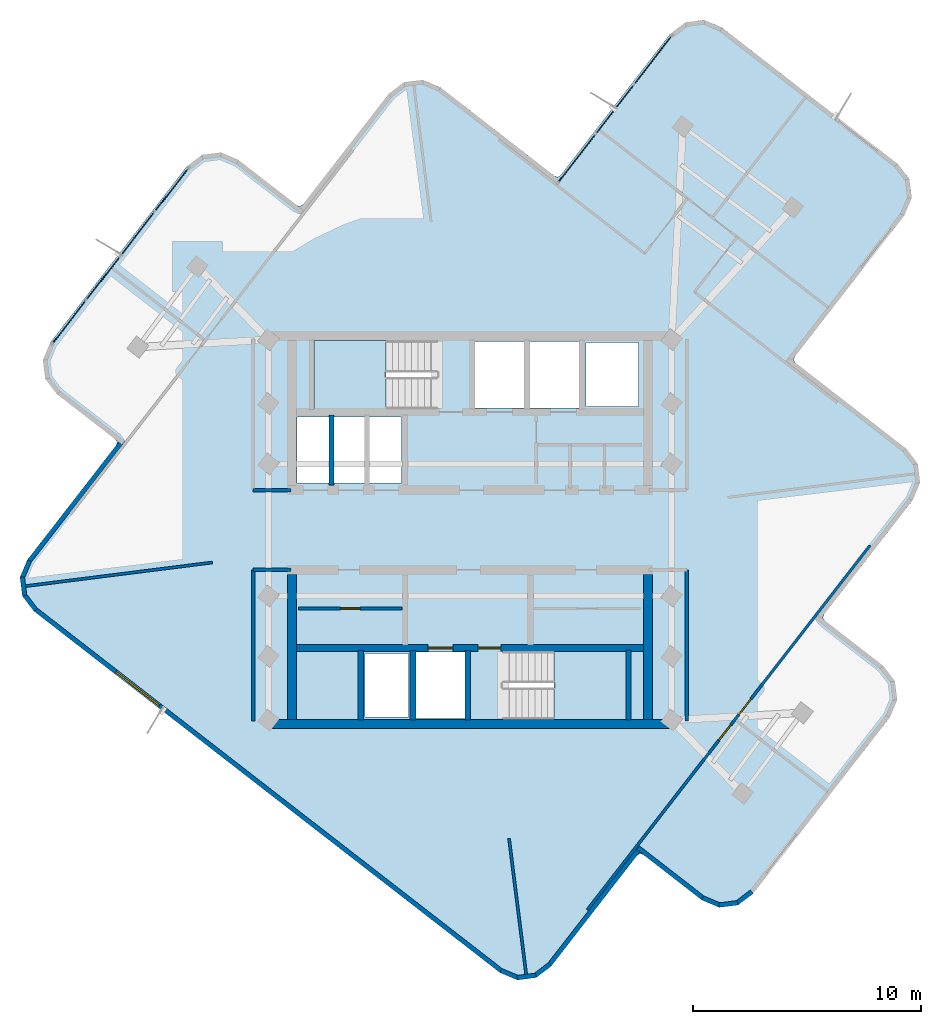
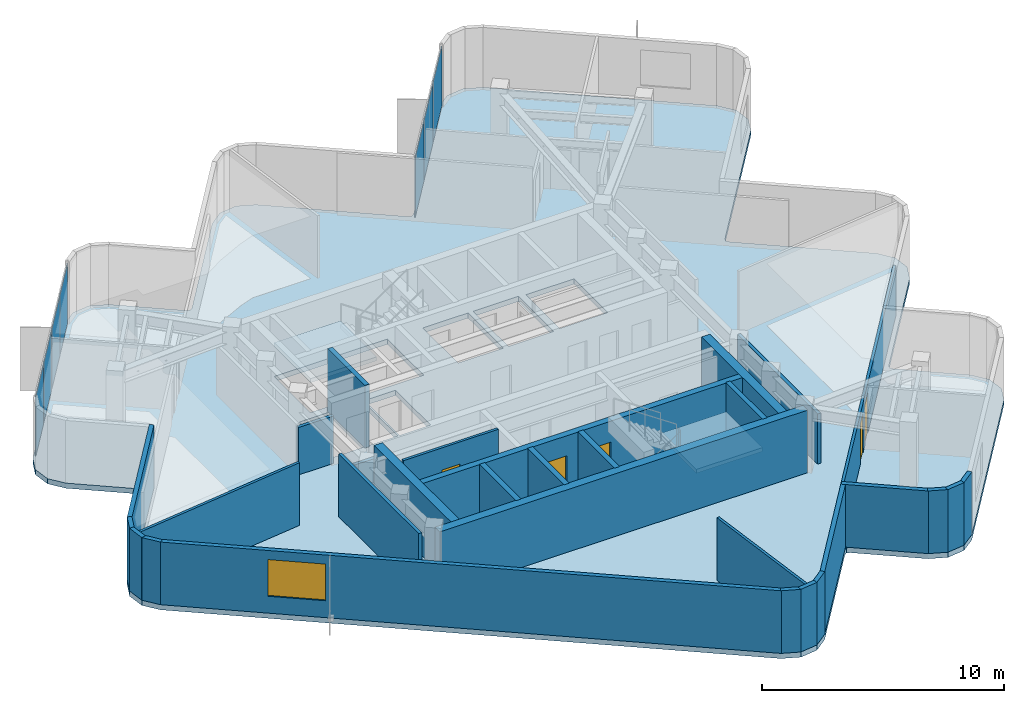
# One storey, part 5 of 10: 30 walls, 7 plates, 5 doors, 3 slabs, 1 window, 6 openings, 4 elements without a shape of their own.
"""IFC4 building model written with IfcOpenShell, lengths in metres."""

from ifc_helpers import new_model, si_unit, direction, frame, frame_2d, origin, origin_2d, place, context, subcontext, project, spatial, polyline, rectangle, outline, extrude, material, layer, layer_set, type_object, element, fill, aggregate, save


model = new_model("IFC4")

# Units and contexts
model_context = context("Model", 3, precision=1e-05, world=origin(), true_north=direction((0.0, 1.0)))
body_context = subcontext(model_context, "Body", "Model", "MODEL_VIEW")
ifc_project = project(units=[si_unit("LENGTHUNIT", "METRE"), si_unit("AREAUNIT", "SQUARE_METRE"), si_unit("VOLUMEUNIT", "CUBIC_METRE"), si_unit("PLANEANGLEUNIT", "RADIAN"), si_unit("MASSUNIT", "GRAM", prefix="KILO")], contexts=[model_context])

# Site, building, storey
site_placement = place(None, origin())
site = spatial("IfcSite", under=ifc_project, at=site_placement, CompositionType="ELEMENT")
building_placement = place(site_placement, origin())
building = spatial("IfcBuilding", under=site, at=building_placement, Name="Solmarez Civic Tower", CompositionType="ELEMENT")
storey_placement = place(building_placement, frame((0.0, 0.0, 261.179931640625)))
storey = spatial("IfcBuildingStorey", under=building, at=storey_placement, Name="L70", CompositionType="ELEMENT", Elevation=261.179931640625)

# Curtain wall, plates
ifc_material_1 = material(Name="Bronze Anodised Aluminium EN AW-6063 T6", Category="aluminium")
ifc_layer_1 = layer(ifc_material_1, 0.1650390625)
ifc_layer_set_1 = layer_set([ifc_layer_1], Name="Bronze Anodised Aluminium EN AW-6063 T6")
curtain_wall_type = type_object("IfcCurtainWallType", Name="CW-SYS-4", PredefinedType="NOTDEFINED", material=ifc_layer_set_1)
curtain_wall_1_placement = place(storey_placement, origin())
curtain_wall_1 = element("IfcCurtainWall", 1, at=curtain_wall_1_placement, inside=storey, type_object=curtain_wall_type, Name="L70 Stick-Built Curtain Wall 1", PredefinedType="NOTDEFINED")
ifc_material_2 = material(Name="Solar Control Low-E Laminated Vision Glass", Category="glass")
ifc_layer_2 = layer(ifc_material_2, 0.0400390625)
ifc_layer_set_2 = layer_set([ifc_layer_2], Name="Solar Control Low-E Laminated Vision Glass")
plate_type = type_object("IfcPlateType", Name="CWP-GLAZ-40", PredefinedType="CURTAIN_PANEL", material=ifc_layer_set_2)
plate_1_placement = place(storey_placement, frame((-17.59521484375, 9.13134765625, 0.070068359375), z_axis=(0.0, 0.0, 1.0), x_axis=(0.612805357542, 0.790233885485, 0.0)))
plate_1 = element("IfcPlate", 2, at=plate_1_placement, type_object=plate_type, Name="CWS4 panel 1.1", PredefinedType="CURTAIN_PANEL", context=body_context, shape_type="SweptSolid", body=[
    extrude(rectangle(XDim=2.365966796875, YDim=0.0400390625, at=origin_2d()), origin(), (0.0, 0.0, 1.0), 3.02001953125),
])
plate_2_placement = place(storey_placement, frame((-16.099609375, 11.06005859375, 0.070068359375), z_axis=(0.0, 0.0, 1.0), x_axis=(0.612805357542, 0.790233885485, 0.0)))
plate_2 = element("IfcPlate", 3, at=plate_2_placement, type_object=plate_type, Name="CWS4 panel 2.1", PredefinedType="CURTAIN_PANEL", context=body_context, shape_type="SweptSolid", body=[
    extrude(rectangle(XDim=2.39599609375, YDim=0.0400390625, at=origin_2d()), origin(), (0.0, 0.0, 1.0), 3.02001953125),
])
plate_3_placement = place(storey_placement, frame((-14.594482421875, 13.0009765625, 0.070068359375), z_axis=(0.0, 0.0, 1.0), x_axis=(0.612805357542, 0.790233885485, 0.0)))
plate_3 = element("IfcPlate", 4, at=plate_3_placement, type_object=plate_type, Name="CWS4 panel 3.1", PredefinedType="CURTAIN_PANEL", context=body_context, shape_type="SweptSolid", body=[
    extrude(rectangle(XDim=2.39599609375, YDim=0.0400390625, at=origin_2d()), origin(), (0.0, 0.0, 1.0), 3.02001953125),
])
plate_4_placement = place(storey_placement, frame((-13.0986328125, 14.9296875, 0.070068359375), z_axis=(0.0, 0.0, 1.0), x_axis=(0.612805357542, 0.790233885485, 0.0)))
plate_4 = element("IfcPlate", 5, at=plate_4_placement, type_object=plate_type, Name="CWS4 panel 4.1", PredefinedType="CURTAIN_PANEL", context=body_context, shape_type="SweptSolid", body=[
    extrude(rectangle(XDim=2.365966796875, YDim=0.0400390625, at=origin_2d()), origin(), (0.0, 0.0, 1.0), 3.02001953125),
])
aggregate(curtain_wall_1, [plate_1, plate_2, plate_3, plate_4])

curtain_wall_2_placement = place(storey_placement, origin())
curtain_wall_2 = element("IfcCurtainWall", 6, at=curtain_wall_2_placement, inside=storey, type_object=curtain_wall_type, Name="L70 Stick-Built Curtain Wall 2", PredefinedType="NOTDEFINED")
plate_5_placement = place(storey_placement, frame((4.68017578125, 16.312255859375, 0.070068359375), z_axis=(0.0, 0.0, 1.0), x_axis=(0.612907004006, 0.790155050886, 0.0)))
plate_5 = element("IfcPlate", 7, at=plate_5_placement, type_object=plate_type, Name="CWS4 panel 1.1", PredefinedType="CURTAIN_PANEL", context=body_context, shape_type="SweptSolid", body=[
    extrude(rectangle(XDim=2.657470703125, YDim=0.0400390625, at=origin_2d()), origin(), (0.0, 0.0, 1.0), 3.02001953125),
])
plate_6_placement = place(storey_placement, frame((6.35498046875, 18.471435546875, 0.070068359375), z_axis=(0.0, 0.0, 1.0), x_axis=(0.612907004006, 0.790155050886, 0.0)))
plate_6 = element("IfcPlate", 8, at=plate_6_placement, type_object=plate_type, Name="CWS4 panel 2.1", PredefinedType="CURTAIN_PANEL", context=body_context, shape_type="SweptSolid", body=[
    extrude(rectangle(XDim=2.6875, YDim=0.0400390625, at=origin_2d()), origin(), (0.0, 0.0, 1.0), 3.02001953125),
])
plate_7_placement = place(storey_placement, frame((8.02978515625, 20.630615234375, 0.070068359375), z_axis=(0.0, 0.0, 1.0), x_axis=(0.612907004006, 0.790155050886, 0.0)))
plate_7 = element("IfcPlate", 9, at=plate_7_placement, type_object=plate_type, Name="CWS4 panel 3.1", PredefinedType="CURTAIN_PANEL", context=body_context, shape_type="SweptSolid", body=[
    extrude(rectangle(XDim=2.657470703125, YDim=0.0400390625, at=origin_2d()), origin(), (0.0, 0.0, 1.0), 3.02001953125),
])
aggregate(curtain_wall_2, [plate_5, plate_6, plate_7])

# Stair, slab
ifc_material_3 = material(Name="Concrete C50/60", Category="concrete")
stair_type = type_object("IfcStairType", Name="STAIR-DOGLEG-140W-18R-1900", PredefinedType="HALF_TURN_STAIR", material=ifc_material_3)
stair_1_placement = place(storey_placement, origin())
stair_1 = element("IfcStair", 10, at=stair_1_placement, inside=storey, type_object=stair_type, Name="L70 North Core Protected Exit Stair ST-1", PredefinedType="HALF_TURN_STAIR")
ifc_layer_3 = layer(ifc_material_3, 0.199951171875)
ifc_layer_set_3 = layer_set([ifc_layer_3], Name="Concrete C50/60")
slab_type_1 = type_object("IfcSlabType", Name="SLAB-LANDING-200", PredefinedType="LANDING", material=ifc_layer_set_3)
slab_1_placement = place(storey_placement, frame((0.0, 0.0, 1.510009765625)))
slab_1 = element("IfcSlab", 11, at=slab_1_placement, type_object=slab_type_1, Name="ST-1 landing 1", PredefinedType="LANDING", context=body_context, shape_type="SweptSolid", body=[
    extrude(outline(polyline([(-3.68994140625, 8.320068359375), (-6.85009765625, 8.320068359375), (-6.85009765625, 5.320068359375), (-3.68994140625, 5.320068359375), (-3.68994140625, 8.320068359375)])), origin(), (0.0, 0.0, 1.0), 0.199951171875),
])
aggregate(stair_1, [slab_1])

stair_2_placement = place(storey_placement, origin())
stair_2 = element("IfcStair", 12, at=stair_2_placement, inside=storey, type_object=stair_type, Name="L70 South Core Protected Exit Stair ST-2", PredefinedType="HALF_TURN_STAIR")
slab_2_placement = place(storey_placement, frame((0.0, 0.0, 1.510009765625)))
slab_2 = element("IfcSlab", 13, at=slab_2_placement, type_object=slab_type_1, Name="ST-2 landing 1", PredefinedType="LANDING", context=body_context, shape_type="SweptSolid", body=[
    extrude(outline(polyline([(3.68994140625, -8.320068359375), (6.85009765625, -8.320068359375), (6.85009765625, -5.320068359375), (3.68994140625, -5.320068359375), (3.68994140625, -8.320068359375)])), origin(), (0.0, 0.0, 1.0), 0.199951171875),
])
aggregate(stair_2, [slab_2])

# Slab
ifc_layer_4 = layer(ifc_material_3, 0.260009765625)
ifc_layer_set_4 = layer_set([ifc_layer_4], Name="Concrete C50/60")
slab_type_2 = type_object("IfcSlabType", Name="SLAB-TOWER-260", PredefinedType="FLOOR", material=ifc_layer_set_4)
slab_3_placement = place(storey_placement, frame((0.0, 0.0, -0.260009765625)))
element("IfcSlab", 14, at=slab_3_placement, inside=storey, type_object=slab_type_2, Name="L70 Structural Slab", PredefinedType="FLOOR", context=body_context, shape_type="SweptSolid", body=[
    extrude(outline(polyline([(7.617919921875, -14.261962890625), (10.177978515625, -16.2470703125), (10.94091796875, -16.568115234375), (11.762939453125, -16.464111328125), (12.423095703125, -15.964111328125), (18.428955078125, -8.219970703125), (18.75, -7.45703125), (18.64599609375, -6.635009765625), (18.14501953125, -5.97509765625), (15.5859375, -3.989990234375), (15.48193359375, -3.85302734375), (15.548095703125, -3.694091796875), (19.43408203125, 1.31494140625), (19.7548828125, 2.077880859375), (19.65087890625, 2.89990234375), (19.14990234375, 3.56005859375), (14.299072265625, 7.322021484375), (14.195068359375, 7.458984375), (14.261962890625, 7.617919921875), (19.06689453125, 13.81201171875), (19.387939453125, 14.575927734375), (19.283935546875, 15.39794921875), (18.782958984375, 16.056884765625), (11.0400390625, 22.06396484375), (10.27587890625, 22.385009765625), (9.4541015625, 22.281005859375), (8.794921875, 21.780029296875), (3.989990234375, 15.5859375), (3.85302734375, 15.48193359375), (3.694091796875, 15.548095703125), (-1.31494140625, 19.43408203125), (-2.077880859375, 19.7548828125), (-2.89990234375, 19.65087890625), (-3.56005859375, 19.14990234375), (-7.322021484375, 14.299072265625), (-7.458984375, 14.195068359375), (-7.617919921875, 14.261962890625), (-10.177978515625, 16.2470703125), (-10.94091796875, 16.568115234375), (-11.762939453125, 16.464111328125), (-12.423095703125, 15.964111328125), (-18.428955078125, 8.219970703125), (-18.75, 7.45703125), (-18.64599609375, 6.635009765625), (-18.14501953125, 5.97509765625), (-15.5859375, 3.989990234375), (-15.48193359375, 3.85302734375), (-15.548095703125, 3.694091796875), (-19.43408203125, -1.31494140625), (-19.7548828125, -2.077880859375), (-19.65087890625, -2.89990234375), (-19.14990234375, -3.56005859375), (1.31494140625, -19.43408203125), (2.077880859375, -19.7548828125), (2.89990234375, -19.65087890625), (3.56005859375, -19.14990234375), (7.322021484375, -14.299072265625), (7.458984375, -14.195068359375), (7.617919921875, -14.261962890625)]), holes=[polyline([(-1.449951171875, 8.320068359375), (-6.85009765625, 8.320068359375), (-6.85009765625, 5.320068359375), (-1.449951171875, 5.320068359375), (-1.449951171875, 8.320068359375)]), polyline([(1.449951171875, -8.320068359375), (6.85009765625, -8.320068359375), (6.85009765625, -5.320068359375), (1.449951171875, -5.320068359375), (1.449951171875, -8.320068359375)]), polyline([(0.219970703125, 5.360107421875), (2.3798828125, 5.360107421875), (2.3798828125, 8.280029296875), (0.219970703125, 8.280029296875), (0.219970703125, 5.360107421875)]), polyline([(2.6201171875, 5.360107421875), (4.780029296875, 5.360107421875), (4.780029296875, 8.280029296875), (2.6201171875, 8.280029296875), (2.6201171875, 5.360107421875)]), polyline([(-2.3798828125, -8.280029296875), (-0.219970703125, -8.280029296875), (-0.219970703125, -5.360107421875), (-2.3798828125, -5.360107421875), (-2.3798828125, -8.280029296875)]), polyline([(-7.60009765625, 2.06005859375), (-6.1201171875, 2.06005859375), (-6.1201171875, 4.9599609375), (-7.60009765625, 4.9599609375), (-7.60009765625, 2.06005859375)]), polyline([(-6.0400390625, 2.06005859375), (-4.56005859375, 2.06005859375), (-4.56005859375, 4.9599609375), (-6.0400390625, 4.9599609375), (-6.0400390625, 2.06005859375)]), polyline([(-4.47998046875, 2.06005859375), (-3.0, 2.06005859375), (-3.0, 4.9599609375), (-4.47998046875, 4.9599609375), (-4.47998046875, 2.06005859375)]), polyline([(5.10009765625, 5.419921875), (7.39990234375, 5.419921875), (7.39990234375, 8.219970703125), (5.10009765625, 8.219970703125), (5.10009765625, 5.419921875)]), polyline([(-4.60009765625, -8.219970703125), (-2.699951171875, -8.219970703125), (-2.699951171875, -5.419921875), (-4.60009765625, -5.419921875), (-4.60009765625, -8.219970703125)])]), origin(), (0.0, 0.0, 1.0), 0.260009765625),
])

# Walls
ifc_layer_5 = layer(ifc_material_3, 0.39990234375)
ifc_layer_set_5 = layer_set([ifc_layer_5], Name="Concrete C50/60")
wall_type_1 = type_object("IfcWallType", Name="WALL-CORE-400", PredefinedType="SHEAR", material=ifc_layer_set_5)
wall_1_placement = place(storey_placement, frame((8.780029296875, -8.510009765625, 0.0), z_axis=(0.0, 0.0, 1.0), x_axis=(-1.0, 0.0, 0.0)))
element("IfcWall", 15, at=wall_1_placement, inside=storey, type_object=wall_type_1, Name="L70 Split-Core Structural Wall SCW-S-L70", PredefinedType="SHEAR", context=body_context, shape_type="SweptSolid", body=[
    extrude(rectangle(XDim=17.56005859375, YDim=0.39990234375, at=frame_2d((8.780029296875, 0.0))), origin(), (0.0, 0.0, 1.0), 3.16015625),
])
for number, where, z_axis, x_axis, name in (
    (16, (-7.820068359375, -8.31005859375, 0.0), (0.0, 0.0, 1.0), (0.0, 1.0, 0.0), "L70 Split-Core Structural Wall SCW-W-L70"),
    (17, (7.820068359375, -1.949951171875, 0.0), (0.0, 0.0, 1.0), (0.0, -1.0, 0.0), "L70 Split-Core Structural Wall SCW-E-L70"),
):
    element("IfcWall", number, at=place(storey_placement, frame(where, z_axis=z_axis, x_axis=x_axis)), inside=storey, type_object=wall_type_1, Name=name, PredefinedType="SHEAR", context=body_context, shape_type="SweptSolid", body=[
        extrude(rectangle(XDim=6.360107421875, YDim=0.39990234375, at=frame_2d((3.18017578125, 0.0))), origin(), (0.0, 0.0, 1.0), 3.16015625),
    ])
ifc_material_4 = material(Name="Precast concrete C40/50", Category="concrete")
ifc_layer_6 = layer(ifc_material_4, 0.199951171875)
ifc_layer_set_6 = layer_set([ifc_layer_6], Name="Precast concrete C40/50")
wall_type_2 = type_object("IfcWallType", Name="WALL-EXT-200", PredefinedType="SOLIDWALL", material=ifc_layer_set_6)
wall_2_placement = place(storey_placement, frame((7.48291015625, -13.929931640625, 0.0), z_axis=(0.0, 0.0, 1.0), x_axis=(-0.612826373036, -0.790217588081, 0.0)))
element("IfcWall", 18, at=wall_2_placement, inside=storey, type_object=wall_type_2, Name="L70 Exterior Precast Wall 2", PredefinedType="SOLIDWALL", context=body_context, shape_type="SweptSolid", body=[
    extrude(rectangle(XDim=6.54150390625, YDim=0.199951171875, at=frame_2d((3.270751953125, 0.0))), origin(), (0.0, 0.0, 1.0), 3.16015625),
])
wall_3_placement = place(storey_placement, frame((3.509033203125, -19.06396484375, 0.0), z_axis=(0.0, 0.0, 1.0), x_axis=(-0.797053904317, -0.603908166539, 0.0)))
element("IfcWall", 19, at=wall_3_placement, inside=storey, type_object=wall_type_2, Name="L70 Exterior Precast Wall 3", PredefinedType="SOLIDWALL", context=body_context, shape_type="SweptSolid", body=[
    extrude(rectangle(XDim=0.838134765625, YDim=0.199951171875, at=frame_2d((0.4189453125, 0.0))), origin(), (0.0, 0.0, 1.0), 3.16015625),
])
wall_4_placement = place(storey_placement, frame((2.885986328125, -19.552001953125, 0.0), z_axis=(0.0, 0.0, 1.0), x_axis=(-0.992182038023, -0.124799052175, 0.0)))
element("IfcWall", 20, at=wall_4_placement, inside=storey, type_object=wall_type_2, Name="L70 Exterior Precast Wall 4", PredefinedType="SOLIDWALL", context=body_context, shape_type="SweptSolid", body=[
    extrude(rectangle(XDim=0.825439453125, YDim=0.199951171875, at=frame_2d((0.41259765625, 0.0))), origin(), (0.0, 0.0, 1.0), 3.16015625),
])
wall_5_placement = place(storey_placement, frame((2.114990234375, -19.662109375, 0.0), z_axis=(0.0, 0.0, 1.0), x_axis=(-0.921569528133, 0.388213349612, 0.0)))
element("IfcWall", 21, at=wall_5_placement, inside=storey, type_object=wall_type_2, Name="L70 Exterior Precast Wall 5", PredefinedType="SOLIDWALL", context=body_context, shape_type="SweptSolid", body=[
    extrude(rectangle(XDim=0.837646484375, YDim=0.199951171875, at=frame_2d((0.4189453125, 0.0))), origin(), (0.0, 0.0, 1.0), 3.16015625),
])

# Wall, opening, window
wall_6_placement = place(storey_placement, frame((1.385986328125, -19.362060546875, 0.0), z_axis=(0.0, 0.0, 1.0), x_axis=(-0.790191227086, 0.612860363081, 0.0)))
wall_6 = element("IfcWall", 22, at=wall_6_placement, inside=storey, type_object=wall_type_2, Name="L70 Exterior Precast Wall 6", PredefinedType="SOLIDWALL", context=body_context, shape_type="SweptSolid", body=[
    extrude(rectangle(XDim=25.92431640625, YDim=0.199951171875, at=frame_2d((12.962158203125, 0.0))), origin(), (0.0, 0.0, 1.0), 3.16015625),
])
opening_1_placement = place(wall_6_placement, frame((19.02099609375, 0.0, 0.85009765625)))
opening_1 = element("IfcOpeningElement", 23, at=opening_1_placement, cuts=wall_6, Name="Opening W-06", PredefinedType="OPENING", context=body_context, shape_type="SweptSolid", body=[
    extrude(rectangle(XDim=2.39990234375, YDim=1.85009765625, at=frame_2d((1.199951171875, 0.925048828125))), frame((0.0, 0.10986328125, 0.0), z_axis=(0.0, -1.0, 0.0), x_axis=(1.0, 0.0, 0.0)), (0.0, 0.0, 1.0), 0.219970703125),
])
ifc_material_5 = material(Name="Solar Control Bronze-Tinted Insulating Glass", Category="glass")
window_type = type_object("IfcWindowType", Name="WIN-2400X1850", PartitioningType="SINGLE_PANEL", PredefinedType="WINDOW", material=ifc_material_5)
window_placement = place(opening_1_placement, origin())
window = element("IfcWindow", 24, at=window_placement, inside=storey, type_object=window_type, Name="L70 Exterior Facade Window 6", OverallHeight=1.85009765625, OverallWidth=2.39990234375, PartitioningType="SINGLE_PANEL", PredefinedType="WINDOW", context=body_context, shape_type="SweptSolid", body=[
    extrude(rectangle(XDim=2.39990234375, YDim=1.85009765625, at=frame_2d((1.199951171875, 0.925048828125))), frame((0.0, 0.030029296875, 0.0), z_axis=(0.0, -1.0, 0.0), x_axis=(1.0, 0.0, 0.0)), (0.0, 0.0, 1.0), 0.06005859375),
])
fill(opening_1, window)

# Walls
wall_7_placement = place(storey_placement, frame((-19.06396484375, -3.509033203125, 0.0), z_axis=(0.0, 0.0, 1.0), x_axis=(-0.603908166539, 0.797053904317, 0.0)))
element("IfcWall", 25, at=wall_7_placement, inside=storey, type_object=wall_type_2, Name="L70 Exterior Precast Wall 7", PredefinedType="SOLIDWALL", context=body_context, shape_type="SweptSolid", body=[
    extrude(rectangle(XDim=0.838134765625, YDim=0.199951171875, at=frame_2d((0.4189453125, 0.0))), origin(), (0.0, 0.0, 1.0), 3.16015625),
])
wall_8_placement = place(storey_placement, frame((-19.552001953125, -2.885986328125, 0.0), z_axis=(0.0, 0.0, 1.0), x_axis=(-0.124799052175, 0.992182038023, 0.0)))
element("IfcWall", 26, at=wall_8_placement, inside=storey, type_object=wall_type_2, Name="L70 Exterior Precast Wall 8", PredefinedType="SOLIDWALL", context=body_context, shape_type="SweptSolid", body=[
    extrude(rectangle(XDim=0.825439453125, YDim=0.199951171875, at=frame_2d((0.41259765625, 0.0))), origin(), (0.0, 0.0, 1.0), 3.16015625),
])
wall_9_placement = place(storey_placement, frame((-19.662109375, -2.114990234375, 0.0), z_axis=(0.0, 0.0, 1.0), x_axis=(0.388213349612, 0.921569528133, 0.0)))
element("IfcWall", 27, at=wall_9_placement, inside=storey, type_object=wall_type_2, Name="L70 Exterior Precast Wall 9", PredefinedType="SOLIDWALL", context=body_context, shape_type="SweptSolid", body=[
    extrude(rectangle(XDim=0.837646484375, YDim=0.199951171875, at=frame_2d((0.4189453125, 0.0))), origin(), (0.0, 0.0, 1.0), 3.16015625),
])
wall_10_placement = place(storey_placement, frame((-19.362060546875, -1.385986328125, 0.0), z_axis=(0.0, 0.0, 1.0), x_axis=(0.613007625303, 0.790076990755, 0.0)))
element("IfcWall", 28, at=wall_10_placement, inside=storey, type_object=wall_type_2, Name="L70 Exterior Precast Wall 10", PredefinedType="SOLIDWALL", context=body_context, shape_type="SweptSolid", body=[
    extrude(rectangle(XDim=6.7421875, YDim=0.199951171875, at=frame_2d((3.37109375, 0.0))), origin(), (0.0, 0.0, 1.0), 3.16015625),
])
wall_11_placement = place(storey_placement, frame((12.3720703125, -15.876953125, 0.0), z_axis=(0.0, 0.0, 1.0), x_axis=(-0.796493049564, -0.60464768419, 0.0)))
element("IfcWall", 29, at=wall_11_placement, inside=storey, type_object=wall_type_2, Name="L70 Exterior Precast Wall 54", PredefinedType="SOLIDWALL", context=body_context, shape_type="SweptSolid", body=[
    extrude(rectangle(XDim=0.838623046875, YDim=0.199951171875, at=frame_2d((0.41943359375, 0.0))), origin(), (0.0, 0.0, 1.0), 3.16015625),
])
wall_12_placement = place(storey_placement, frame((11.7490234375, -16.365966796875, 0.0), z_axis=(0.0, 0.0, 1.0), x_axis=(-0.992182038023, -0.124799052175, 0.0)))
element("IfcWall", 30, at=wall_12_placement, inside=storey, type_object=wall_type_2, Name="L70 Exterior Precast Wall 55", PredefinedType="SOLIDWALL", context=body_context, shape_type="SweptSolid", body=[
    extrude(rectangle(XDim=0.825439453125, YDim=0.199951171875, at=frame_2d((0.41259765625, 0.0))), origin(), (0.0, 0.0, 1.0), 3.16015625),
])
wall_13_placement = place(storey_placement, frame((10.97802734375, -16.47607421875, 0.0), z_axis=(0.0, 0.0, 1.0), x_axis=(-0.921328331513, 0.388785423532, 0.0)))
element("IfcWall", 31, at=wall_13_placement, inside=storey, type_object=wall_type_2, Name="L70 Exterior Precast Wall 56", PredefinedType="SOLIDWALL", context=body_context, shape_type="SweptSolid", body=[
    extrude(rectangle(XDim=0.8388671875, YDim=0.199951171875, at=frame_2d((0.41943359375, 0.0))), origin(), (0.0, 0.0, 1.0), 3.16015625),
])
wall_14_placement = place(storey_placement, frame((10.248046875, -16.175048828125, 0.0), z_axis=(0.0, 0.0, 1.0), x_axis=(-0.790239683444, 0.612797880797, 0.0)))
element("IfcWall", 32, at=wall_14_placement, inside=storey, type_object=wall_type_2, Name="L70 Exterior Precast Wall 57", PredefinedType="SOLIDWALL", context=body_context, shape_type="SweptSolid", body=[
    extrude(rectangle(XDim=3.640625, YDim=0.199951171875, at=frame_2d((1.8203125, 0.0))), origin(), (0.0, 0.0, 1.0), 3.16015625),
])
ifc_material_6 = material(Name="Gypsum Board Acoustic Steel-Stud Partition", Category="steel")
ifc_layer_7 = layer(ifc_material_6, 0.14990234375)
ifc_layer_set_7 = layer_set([ifc_layer_7], Name="Gypsum Board Acoustic Steel-Stud Partition")
wall_type_3 = type_object("IfcWallType", Name="WALL-INT-FIRE-150", PredefinedType="PARTITIONING", material=ifc_layer_set_7)
wall_15_placement = place(storey_placement, frame((-7.85009765625, 1.75, 0.0), z_axis=(0.0, 0.0, 1.0), x_axis=(-1.0, 0.0, 0.0)))
element("IfcWall", 33, at=wall_15_placement, inside=storey, type_object=wall_type_3, Name="L70 Interior Partition CHW-L70-WN3", PredefinedType="PARTITIONING", context=body_context, shape_type="SweptSolid", body=[
    extrude(rectangle(XDim=1.669921875, YDim=0.14990234375, at=frame_2d((0.8349609375, 0.0))), origin(), (0.0, 0.0, 1.0), 2.39013671875),
])
wall_16_placement = place(storey_placement, frame((-9.52001953125, -8.3798828125, 0.0), z_axis=(0.0, 0.0, 1.0), x_axis=(0.0, 1.0, 0.0)))
element("IfcWall", 34, at=wall_16_placement, inside=storey, type_object=wall_type_3, Name="L70 Interior Partition CHW-L70-WS1", PredefinedType="PARTITIONING", context=body_context, shape_type="SweptSolid", body=[
    extrude(rectangle(XDim=6.6298828125, YDim=0.14990234375, at=frame_2d((3.31494140625, 0.0))), origin(), (0.0, 0.0, 1.0), 3.16015625),
])
wall_17_placement = place(storey_placement, frame((-7.85009765625, -1.75, 0.0), z_axis=(0.0, 0.0, 1.0), x_axis=(-1.0, 0.0, 0.0)))
element("IfcWall", 35, at=wall_17_placement, inside=storey, type_object=wall_type_3, Name="L70 Interior Partition CHW-L70-WS3", PredefinedType="PARTITIONING", context=body_context, shape_type="SweptSolid", body=[
    extrude(rectangle(XDim=1.669921875, YDim=0.14990234375, at=frame_2d((0.8349609375, 0.0))), origin(), (0.0, 0.0, 1.0), 2.39013671875),
])
wall_18_placement = place(storey_placement, frame((9.52001953125, -8.3798828125, 0.0), z_axis=(0.0, 0.0, 1.0), x_axis=(0.0, 1.0, 0.0)))
element("IfcWall", 36, at=wall_18_placement, inside=storey, type_object=wall_type_3, Name="L70 Interior Partition CHW-L70-ES1", PredefinedType="PARTITIONING", context=body_context, shape_type="SweptSolid", body=[
    extrude(rectangle(XDim=6.6298828125, YDim=0.14990234375, at=frame_2d((3.31494140625, 0.0))), origin(), (0.0, 0.0, 1.0), 2.530029296875),
])

# Wall, opening, door
ifc_layer_8 = layer(ifc_material_6, 0.1201171875)
ifc_layer_set_8 = layer_set([ifc_layer_8], Name="Gypsum Board Acoustic Steel-Stud Partition")
wall_type_4 = type_object("IfcWallType", Name="WALL-INT-PART-120", PredefinedType="PARTITIONING", material=ifc_layer_set_8)
wall_19_placement = place(storey_placement, frame((-7.52001953125, -3.449951171875, 0.0), z_axis=(0.0, 0.0, 1.0), x_axis=(1.0, 0.0, 0.0)))
wall_19 = element("IfcWall", 37, at=wall_19_placement, inside=storey, type_object=wall_type_4, Name="L70 Interior Partition PT-FPLM-L70", PredefinedType="PARTITIONING", context=body_context, shape_type="SweptSolid", body=[
    extrude(rectangle(XDim=4.5400390625, YDim=0.1201171875, at=frame_2d((2.27001953125, 0.0))), origin(), (0.0, 0.0, 1.0), 3.16015625),
])
opening_2_placement = place(wall_19_placement, frame((1.840087890625, 0.0, 0.0)))
opening_2 = element("IfcOpeningElement", 38, at=opening_2_placement, cuts=wall_19, Name="Opening D-14", PredefinedType="OPENING", context=body_context, shape_type="SweptSolid", body=[
    extrude(rectangle(XDim=0.860107421875, YDim=2.0400390625, at=frame_2d((0.43017578125, 1.02001953125))), frame((0.0, 0.070068359375, 0.0), z_axis=(0.0, -1.0, 0.0), x_axis=(1.0, 0.0, 0.0)), (0.0, 0.0, 1.0), 0.14013671875),
])
ifc_material_7 = material(Name="Timber Storage and Pantry Door", Category="wood")
door_type_1 = type_object("IfcDoorType", Name="DOOR-INT-850", OperationType="NOTDEFINED", PredefinedType="DOOR", material=ifc_material_7)
door_1_placement = place(opening_2_placement, origin())
door_1 = element("IfcDoor", 39, at=door_1_placement, inside=storey, type_object=door_type_1, Name="L70 Directorate Copy Office Door", OperationType="SINGLE_SWING_RIGHT", OverallHeight=2.0400390625, OverallWidth=0.860107421875, PredefinedType="DOOR", context=body_context, shape_type="SweptSolid", body=[
    extrude(rectangle(XDim=0.860107421875, YDim=2.0400390625, at=frame_2d((0.43017578125, 1.02001953125))), frame((0.0, 0.02490234375, 0.0), z_axis=(0.0, -1.0, 0.0), x_axis=(1.0, 0.0, 0.0)), (0.0, 0.0, 1.0), 0.050048828125),
])
fill(opening_2, door_1)

# Walls
wall_20_placement = place(storey_placement, frame((-11.31005859375, -1.428955078125, 0.0), z_axis=(0.0, 0.0, 1.0), x_axis=(-0.992107592132, -0.125389495712, 0.0)))
element("IfcWall", 40, at=wall_20_placement, inside=storey, type_object=wall_type_4, Name="L70 Interior Partition PT-L70-QDIV-2", PredefinedType="PARTITIONING", context=body_context, shape_type="SweptSolid", body=[
    extrude(rectangle(XDim=8.29443359375, YDim=0.1201171875, at=frame_2d((4.147216796875, 0.0))), origin(), (0.0, 0.0, 1.0), 3.16015625),
])
wall_21_placement = place(storey_placement, frame((1.7109375, -13.5400390625, 0.0), z_axis=(0.0, 0.0, 1.0), x_axis=(0.125366398214, -0.992110511082, 0.0)))
element("IfcWall", 41, at=wall_21_placement, inside=storey, type_object=wall_type_4, Name="L70 Interior Partition PT-L70-QDIV-3", PredefinedType="PARTITIONING", context=body_context, shape_type="SweptSolid", body=[
    extrude(rectangle(XDim=6.046630859375, YDim=0.1201171875, at=frame_2d((3.0234375, 0.0))), origin(), (0.0, 0.0, 1.0), 3.16015625),
])

# Wall, openings, doors
wall_22_placement = place(storey_placement, frame((17.554931640625, -0.68310546875, 0.0), z_axis=(0.0, 0.0, 1.0), x_axis=(-0.61291959311, -0.790145285617, 0.0)))
wall_22 = element("IfcWall", 42, at=wall_22_placement, inside=storey, type_object=wall_type_4, Name="L70 Interior Partition PT-L70-S-ENT", PredefinedType="PARTITIONING", context=body_context, shape_type="SweptSolid", body=[
    extrude(rectangle(XDim=20.2392578125, YDim=0.1201171875, at=frame_2d((10.11962890625, 0.0))), origin(), (0.0, 0.0, 1.0), 2.530029296875),
])
opening_3_placement = place(wall_22_placement, frame((9.9599609375, 0.0, 0.0)))
opening_3 = element("IfcOpeningElement", 43, at=opening_3_placement, cuts=wall_22, Name="Opening D-14", PredefinedType="OPENING", context=body_context, shape_type="SweptSolid", body=[
    extrude(rectangle(XDim=0.860107421875, YDim=2.0400390625, at=frame_2d((0.43017578125, 1.02001953125))), frame((0.0, 0.070068359375, 0.0), z_axis=(0.0, -1.0, 0.0), x_axis=(1.0, 0.0, 0.0)), (0.0, 0.0, 1.0), 0.14013671875),
])
opening_4_placement = place(wall_22_placement, frame((8.52001953125, 0.0, 0.0)))
opening_4 = element("IfcOpeningElement", 44, at=opening_4_placement, cuts=wall_22, Name="Opening D-14", PredefinedType="OPENING", context=body_context, shape_type="SweptSolid", body=[
    extrude(rectangle(XDim=0.860107421875, YDim=2.0400390625, at=frame_2d((0.43017578125, 1.02001953125))), frame((0.0, 0.070068359375, 0.0), z_axis=(0.0, -1.0, 0.0), x_axis=(1.0, 0.0, 0.0)), (0.0, 0.0, 1.0), 0.14013671875),
])
door_2_placement = place(opening_3_placement, origin())
door_2 = element("IfcDoor", 45, at=door_2_placement, inside=storey, type_object=door_type_1, Name="L70 Wellness Fitness Room Second South Door", OperationType="SINGLE_SWING_RIGHT", OverallHeight=2.0400390625, OverallWidth=0.860107421875, PredefinedType="DOOR", context=body_context, shape_type="SweptSolid", body=[
    extrude(rectangle(XDim=0.860107421875, YDim=2.0400390625, at=frame_2d((0.43017578125, 1.02001953125))), frame((0.0, 0.02490234375, 0.0), z_axis=(0.0, -1.0, 0.0), x_axis=(1.0, 0.0, 0.0)), (0.0, 0.0, 1.0), 0.050048828125),
])
fill(opening_3, door_2)
door_3_placement = place(opening_4_placement, origin())
door_3 = element("IfcDoor", 46, at=door_3_placement, inside=storey, type_object=door_type_1, Name="L70 Delegates Study Lounge First South Door", OperationType="SINGLE_SWING_LEFT", OverallHeight=2.0400390625, OverallWidth=0.860107421875, PredefinedType="DOOR", context=body_context, shape_type="SweptSolid", body=[
    extrude(rectangle(XDim=0.860107421875, YDim=2.0400390625, at=frame_2d((0.43017578125, 1.02001953125))), frame((0.0, 0.02490234375, 0.0), z_axis=(0.0, -1.0, 0.0), x_axis=(1.0, 0.0, 0.0)), (0.0, 0.0, 1.0), 0.050048828125),
])
fill(opening_4, door_3)

ifc_layer_9 = layer(ifc_material_3, 0.300048828125)
ifc_layer_set_9 = layer_set([ifc_layer_9], Name="Concrete C50/60")
wall_type_5 = type_object("IfcWallType", Name="WALL-STR-300", PredefinedType="SOLIDWALL", material=ifc_layer_set_9)
wall_23_placement = place(storey_placement, frame((-7.6201171875, -5.179931640625, 0.0), z_axis=(0.0, 0.0, 1.0), x_axis=(1.0, 0.0, 0.0)))
wall_23 = element("IfcWall", 47, at=wall_23_placement, inside=storey, type_object=wall_type_5, Name="L70 Split-Core Structural Wall SCW-M-L70", PredefinedType="SOLIDWALL", context=body_context, shape_type="SweptSolid", body=[
    extrude(rectangle(XDim=15.240234375, YDim=0.300048828125, at=frame_2d((7.6201171875, 0.0))), origin(), (0.0, 0.0, 1.0), 3.16015625),
])
opening_5_placement = place(wall_23_placement, frame((5.77001953125, 0.0, 0.0)))
opening_5 = element("IfcOpeningElement", 48, at=opening_5_placement, cuts=wall_23, Name="Opening LD-02", PredefinedType="OPENING", context=body_context, shape_type="SweptSolid", body=[
    extrude(rectangle(XDim=1.10009765625, YDim=2.14990234375, at=frame_2d((0.550048828125, 1.074951171875))), frame((0.0, 0.159912109375, 0.0), z_axis=(0.0, -1.0, 0.0), x_axis=(1.0, 0.0, 0.0)), (0.0, 0.0, 1.0), 0.320068359375),
])
opening_6_placement = place(wall_23_placement, frame((7.969970703125, 0.0, 0.0)))
opening_6 = element("IfcOpeningElement", 49, at=opening_6_placement, cuts=wall_23, Name="Opening D-05", PredefinedType="OPENING", context=body_context, shape_type="SweptSolid", body=[
    extrude(rectangle(XDim=1.0, YDim=2.10009765625, at=frame_2d((0.5, 1.050048828125))), frame((0.0, 0.159912109375, 0.0), z_axis=(0.0, -1.0, 0.0), x_axis=(1.0, 0.0, 0.0)), (0.0, 0.0, 1.0), 0.320068359375),
])
ifc_material_8 = material(Name="Fire-Rated Stairwell Exit Door", Category="wood")
door_type_2 = type_object("IfcDoorType", Name="DOOR-FD90-1000", OperationType="NOTDEFINED", PredefinedType="DOOR", material=ifc_material_8)
door_4_placement = place(opening_6_placement, origin())
door_4 = element("IfcDoor", 50, at=door_4_placement, inside=storey, type_object=door_type_2, Name="L70 South Exit Stair Door ST-2", OperationType="SINGLE_SWING_RIGHT", OverallHeight=2.10009765625, OverallWidth=1.0, PredefinedType="DOOR", context=body_context, shape_type="SweptSolid", body=[
    extrude(rectangle(XDim=1.0, YDim=2.10009765625, at=frame_2d((0.5, 1.050048828125))), frame((0.0, 0.02490234375, 0.0), z_axis=(0.0, -1.0, 0.0), x_axis=(1.0, 0.0, 0.0)), (0.0, 0.0, 1.0), 0.050048828125),
])
fill(opening_6, door_4)
ifc_material_9 = material(Name="Stainless Firefighting Lift Landing Sliding Door", Category="aluminium")
door_type_3 = type_object("IfcDoorType", Name="DOOR-LD-FF-1100", OperationType="DOUBLE_DOOR_SLIDING", PredefinedType="DOOR", material=ifc_material_9)
door_5_placement = place(opening_5_placement, origin())
door_5 = element("IfcDoor", 51, at=door_5_placement, inside=storey, type_object=door_type_3, Name="L70 Firefighting Lift Landing Door FFL-2", OperationType="DOUBLE_DOOR_SLIDING", OverallHeight=2.14990234375, OverallWidth=1.10009765625, PredefinedType="DOOR", context=body_context, shape_type="SweptSolid", body=[
    extrude(rectangle(XDim=1.10009765625, YDim=2.14990234375, at=frame_2d((0.550048828125, 1.074951171875))), frame((0.0, 0.02490234375, 0.0), z_axis=(0.0, -1.0, 0.0), x_axis=(1.0, 0.0, 0.0)), (0.0, 0.0, 1.0), 0.050048828125),
])
fill(opening_5, door_5)

# Walls
wall_24_placement = place(storey_placement, frame((6.949951171875, -8.340087890625, 0.0), z_axis=(0.0, 0.0, 1.0), x_axis=(0.0, 1.0, 0.0)))
element("IfcWall", 52, at=wall_24_placement, inside=storey, type_object=wall_type_5, Name="L70 Split-Core Structural Wall SHW-SE-L70", PredefinedType="SOLIDWALL", context=body_context, shape_type="SweptSolid", body=[
    extrude(rectangle(XDim=3.06005859375, YDim=0.219970703125, at=frame_2d((1.530029296875, 0.0))), origin(), (0.0, 0.0, 1.0), 3.16015625),
])
for number, where, z_axis, x_axis, name in (
    (53, (-0.10009765625, -8.340087890625, 0.0), (0.0, 0.0, 1.0), (0.0, 1.0, 0.0), "L70 Split-Core Structural Wall SHW-S1-L70"),
    (54, (-2.5, -8.340087890625, 0.0), (0.0, 0.0, 1.0), (0.0, 1.0, 0.0), "L70 Split-Core Structural Wall SHW-S2-L70"),
    (55, (-4.800048828125, -8.340087890625, 0.0), (0.0, 0.0, 1.0), (0.0, 1.0, 0.0), "L70 Split-Core Structural Wall SHW-S3-L70"),
):
    element("IfcWall", number, at=place(storey_placement, frame(where, z_axis=z_axis, x_axis=x_axis)), inside=storey, type_object=wall_type_5, Name=name, PredefinedType="SOLIDWALL", context=body_context, shape_type="SweptSolid", body=[
        extrude(rectangle(XDim=3.0400390625, YDim=0.25, at=frame_2d((1.52001953125, 0.0))), origin(), (0.0, 0.0, 1.0), 3.16015625),
    ])
wall_25_placement = place(storey_placement, frame((-6.080078125, 1.97998046875, 0.0), z_axis=(0.0, 0.0, 1.0), x_axis=(0.0, 1.0, 0.0)))
element("IfcWall", 56, at=wall_25_placement, inside=storey, type_object=wall_type_5, Name="L70 Split-Core Structural Wall SHW-PLH-L70-1", PredefinedType="SOLIDWALL", context=body_context, shape_type="SweptSolid", body=[
    extrude(rectangle(XDim=3.070068359375, YDim=0.219970703125, at=frame_2d((1.53515625, 0.0))), origin(), (0.0, 0.0, 1.0), 3.16015625),
])

save(model, "model.ifc")
